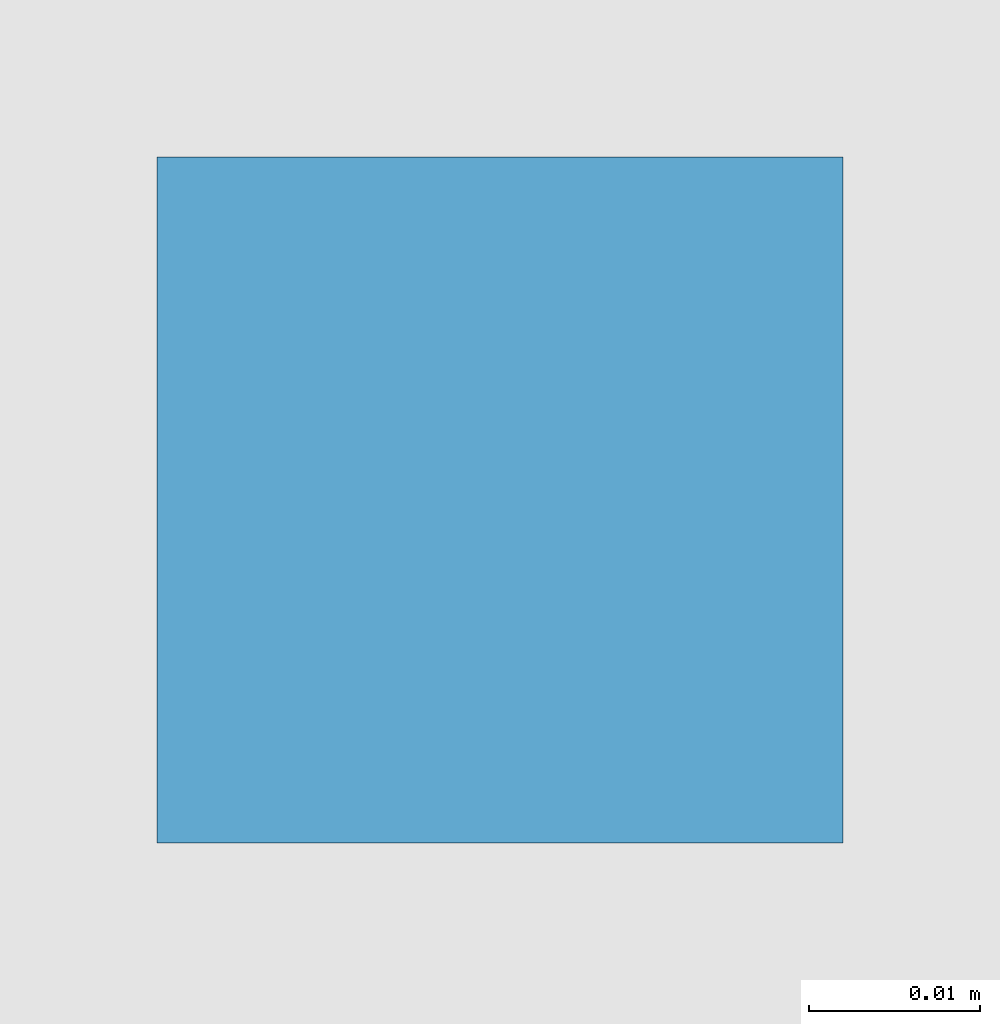
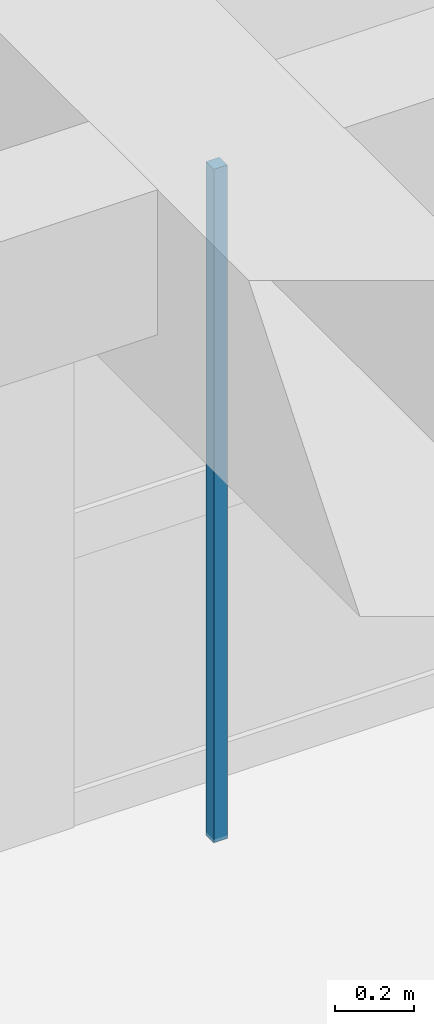
# One storey, part 89 of 167: 1 discrete accessory.
"""IFC4 building model written with IfcOpenShell, lengths in metres."""

from ifc_helpers import new_model, si_unit, direction, frame, origin, origin_2d, place, context, subcontext, project, spatial, rectangle, extrude, material, type_object, element, save


model = new_model("IFC4")

# Units and contexts
model_context = context("Model", 3, precision=1e-05, world=origin(), true_north=direction((0.0, 1.0)))
body_context = subcontext(model_context, "Body", "Model", "MODEL_VIEW")
ifc_project = project(units=[si_unit("LENGTHUNIT", "METRE"), si_unit("AREAUNIT", "SQUARE_METRE"), si_unit("VOLUMEUNIT", "CUBIC_METRE"), si_unit("PLANEANGLEUNIT", "RADIAN"), si_unit("MASSUNIT", "GRAM", prefix="KILO")], contexts=[model_context])

# Site, building, storey
site_placement = place(None, origin())
site = spatial("IfcSite", under=ifc_project, at=site_placement, CompositionType="ELEMENT")
building_placement = place(site_placement, origin())
building = spatial("IfcBuilding", under=site, at=building_placement, Name="Varncliffe General Hospital", CompositionType="ELEMENT")
storey_placement = place(building_placement, origin())
storey = spatial("IfcBuildingStorey", under=building, at=storey_placement, Name="L00", CompositionType="ELEMENT", Elevation=0.0)

# Discrete accessory
ifc_material = material(Name="Powder-coated hospital steel guardrail and handrail", Category="steel")
discrete_accessory_type = type_object("IfcDiscreteAccessoryType", Name="Suspended Ceiling Hanger Bracket CH01", PredefinedType="BRACKET", material=ifc_material)
discrete_accessory_placement = place(storey_placement, frame((33.60009765625, 36.60009765625, 3.18994140625), z_axis=(0.0, 0.0, 1.0), x_axis=(1.0, 0.0, 0.0)))
element("IfcDiscreteAccessory", 1, at=discrete_accessory_placement, inside=storey, type_object=discrete_accessory_type, Name="L00 Suspended Ceiling Hanger 24", PredefinedType="BRACKET", context=body_context, shape_type="SweptSolid", body=[
    extrude(rectangle(XDim=0.0400390625, YDim=0.0400390625, at=origin_2d()), origin(), (0.0, 0.0, 1.0), 2.090087890625),
])

save(model, "model.ifc")
